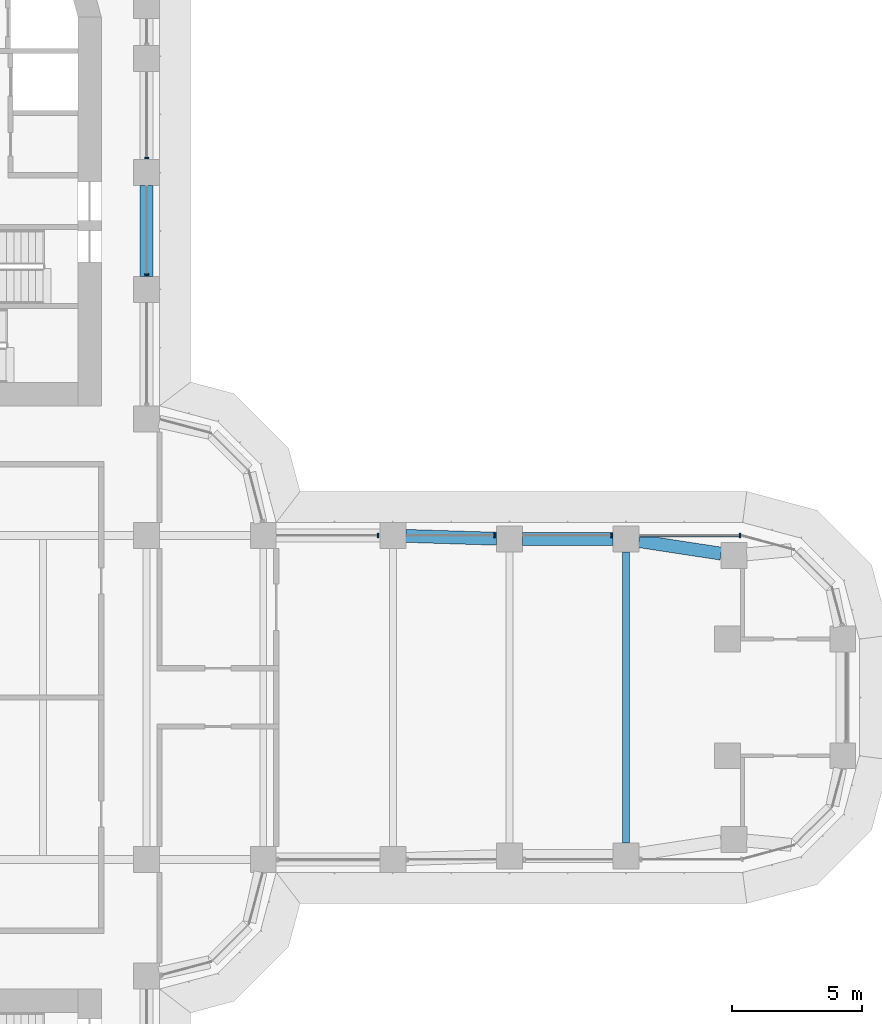
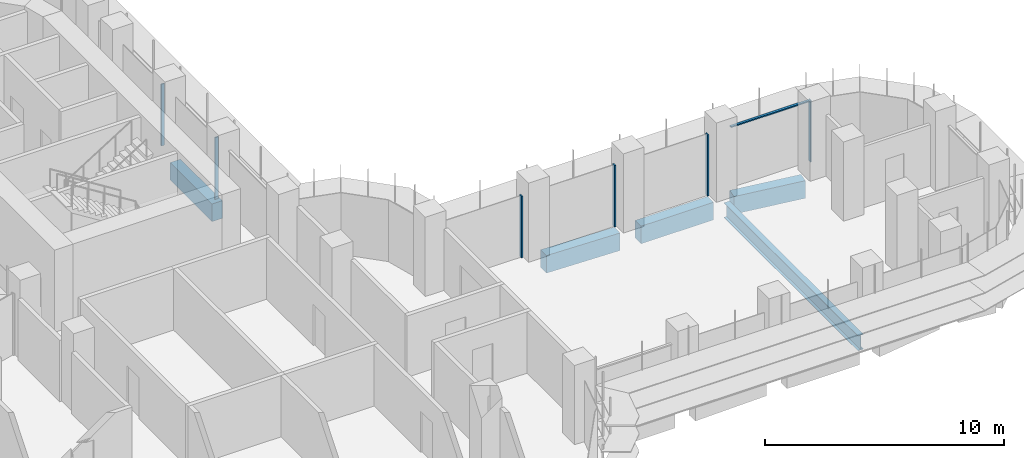
# One storey, part 9 of 23: 7 members, 5 beams, 2 elements without a shape of their own.
"""IFC4 building model written with IfcOpenShell, lengths in metres."""

from ifc_helpers import new_model, si_unit, direction, frame, origin, origin_2d, place, context, subcontext, project, spatial, polyline, rectangle, i_section, outline, extrude, source, transform, mapped, material, material_profile, profile_set, type_object, element, aggregate, save


model = new_model("IFC4")

# Units and contexts
model_context = context("Model", 3, precision=1e-05, world=origin(), true_north=direction((0.0, 1.0)))
body_context = subcontext(model_context, "Body", "Model", "MODEL_VIEW")
ifc_project = project(units=[si_unit("LENGTHUNIT", "METRE"), si_unit("AREAUNIT", "SQUARE_METRE"), si_unit("VOLUMEUNIT", "CUBIC_METRE"), si_unit("PLANEANGLEUNIT", "RADIAN"), si_unit("MASSUNIT", "GRAM", prefix="KILO")], contexts=[model_context])

# Site, building, storey
site_placement = place(None, origin())
site = spatial("IfcSite", under=ifc_project, at=site_placement, CompositionType="ELEMENT")
building_placement = place(site_placement, origin())
building = spatial("IfcBuilding", under=site, at=building_placement, Name="Zarbagh Exchange Tower", CompositionType="ELEMENT")
storey_placement = place(building_placement, frame((0.0, 0.0, 56.39990234375)))
storey = spatial("IfcBuildingStorey", under=building, at=storey_placement, Name="L12", CompositionType="ELEMENT", Elevation=56.39990234375)

# Beams
ifc_material_1 = material(Name="Steel ASTM A992 Gr 50", Category="steel")
ifc_material_profile_1 = material_profile(ifc_material_1, i_section(OverallWidth=0.2666015625, OverallDepth=0.76708984375, WebThickness=0.014892578125, FlangeThickness=0.023681640625, at=origin_2d()), Name="W30X124")
ifc_profile_set_1 = profile_set([ifc_material_profile_1], Name="Steel ASTM A992 Gr 50")
beam_type_1 = type_object("IfcBeamType", Name="Floor beam W30X124", PredefinedType="BEAM", material=ifc_profile_set_1)
beam_1_placement = place(storey_placement, frame((24.75, -5.610107421875, -0.533447265625), z_axis=(0.0, 1.0, 0.0), x_axis=(-1.0, 0.0, 0.0)))
element("IfcBeam", 1, at=beam_1_placement, inside=storey, type_object=beam_type_1, Name="Steel floor beam", PredefinedType="BEAM", context=body_context, shape_type="SweptSolid", body=[
    extrude(i_section(OverallWidth=0.2666015625, OverallDepth=0.76708984375, WebThickness=0.014892578125, FlangeThickness=0.023681640625, at=origin_2d()), origin(), (0.0, 0.0, 1.0), 11.22021484375),
])
ifc_material_2 = material(Name="Concrete C60/75", Category="concrete")
ifc_material_profile_2 = material_profile(ifc_material_2, rectangle(XDim=0.5, YDim=0.89990234375, at=origin_2d()), Name="RC spandrel beam 500 x 900 C60/75")
ifc_profile_set_2 = profile_set([ifc_material_profile_2], Name="Concrete C60/75")
beam_type_2 = type_object("IfcBeamType", Name="RC spandrel beam 500 x 900 C60/75", PredefinedType="SPANDREL", material=ifc_profile_set_2)
beam_2_placement = place(storey_placement, frame((6.25, 19.75, -0.599853515625), z_axis=(0.0, -1.0, 0.0), x_axis=(1.0, 0.0, 0.0)))
element("IfcBeam", 2, at=beam_2_placement, inside=storey, type_object=beam_type_2, Name="RC spandrel beam", PredefinedType="SPANDREL", context=body_context, shape_type="SweptSolid", body=[
    extrude(rectangle(XDim=0.5, YDim=0.89990234375, at=origin_2d()), origin(), (0.0, 0.0, 1.0), 3.5),
])
beam_3_placement = place(storey_placement, frame((16.249755859375, 6.234619140625, -0.599853515625), z_axis=(0.999514385708, -0.031160756759, 0.0), x_axis=(0.031160756759, 0.999514385708, 0.0)))
element("IfcBeam", 3, at=beam_3_placement, inside=storey, type_object=beam_type_2, Name="RC spandrel beam", PredefinedType="SPANDREL", context=body_context, shape_type="SweptSolid", body=[
    extrude(rectangle(XDim=0.5, YDim=0.89990234375, at=origin_2d()), origin(), (0.0, 0.0, 1.0), 3.502197265625),
])
beam_4_placement = place(storey_placement, frame((20.75, 6.110107421875, -0.599853515625), z_axis=(1.0, 0.0, 0.0), x_axis=(0.0, 1.0, 0.0)))
element("IfcBeam", 4, at=beam_4_placement, inside=storey, type_object=beam_type_2, Name="RC spandrel beam", PredefinedType="SPANDREL", context=body_context, shape_type="SweptSolid", body=[
    extrude(rectangle(XDim=0.5, YDim=0.89990234375, at=origin_2d()), origin(), (0.0, 0.0, 1.0), 3.5),
])
beam_5_placement = place(storey_placement, frame((25.244384765625, 6.034423828125, -0.599853515625), z_axis=(0.988545350976, -0.150924116903, 0.0), x_axis=(0.150924116903, 0.988545350976, 0.0)))
element("IfcBeam", 5, at=beam_5_placement, inside=storey, type_object=beam_type_2, Name="RC spandrel beam", PredefinedType="SPANDREL", context=body_context, shape_type="SweptSolid", body=[
    extrude(rectangle(XDim=0.5, YDim=0.89990234375, at=origin_2d()), origin(), (0.0, 0.0, 1.0), 3.2060546875),
])

# Curtain wall, members
ifc_material_3 = material(Name="Anodised aluminium frame and glazing", Category="aluminium")
curtain_wall_type = type_object("IfcCurtainWallType", Name="CWA Ribbon glazing, lower zones", PredefinedType="NOTDEFINED", material=ifc_material_3)
curtain_wall_1_placement = place(storey_placement, origin())
curtain_wall_1 = element("IfcCurtainWall", 6, at=curtain_wall_1_placement, inside=storey, type_object=curtain_wall_type, Name="CWA16 curtain wall", PredefinedType="NOTDEFINED")
ifc_material_4 = material(Name="Anodised aluminium frame", Category="aluminium")
member_type_1 = type_object("IfcMemberType", Name="MUA Mullion, anodised aluminium frame", PredefinedType="MULLION", material=ifc_material_4)
shared_shape_1 = source(origin(), body_context, "Body", "SweptSolid", [
    extrude(outline(polyline([(0.0, -0.080078125), (0.06005859375, -0.080078125), (0.06005859375, 0.080078125), (0.0, 0.080078125), (0.0, -0.080078125)])), origin(), (0.0, 0.0, 1.0), 3.14990234375),
])
placement = place(storey_placement, origin())
member_1 = element("IfcMember", 7, at=placement, type_object=member_type_1, Name="CWA16 mullion 1.1", PredefinedType="MULLION", context=body_context, shape_type="MappedRepresentation", body=[
    mapped(shared_shape_1, transform((29.18408203125, 6.25, 0.0), x_axis=(-1.0, 0.0, 0.0), y_axis=(0.0, -1.0, 0.0), z_axis=(0.0, 0.0, 1.0))),
])
member_2 = element("IfcMember", 8, at=placement, type_object=member_type_1, Name="CWA16 mullion 2.1", PredefinedType="MULLION", context=body_context, shape_type="MappedRepresentation", body=[
    mapped(shared_shape_1, transform((24.2099609375, 6.25, 0.0), x_axis=(-1.0, 0.0, 0.0), y_axis=(0.0, -1.0, 0.0), z_axis=(0.0, 0.0, 1.0))),
])
member_3 = element("IfcMember", 9, at=placement, type_object=member_type_1, Name="CWA16 mullion 3.1", PredefinedType="MULLION", context=body_context, shape_type="MappedRepresentation", body=[
    mapped(shared_shape_1, transform((19.7099609375, 6.25, 0.0), x_axis=(-1.0, 0.0, 0.0), y_axis=(0.0, -1.0, 0.0), z_axis=(0.0, 0.0, 1.0))),
])
member_4 = element("IfcMember", 10, at=placement, type_object=member_type_1, Name="CWA16 mullion 4.1", PredefinedType="MULLION", context=body_context, shape_type="MappedRepresentation", body=[
    mapped(shared_shape_1, transform((15.2099609375, 6.25, 0.0), x_axis=(-1.0, 0.0, 0.0), y_axis=(0.0, -1.0, 0.0), z_axis=(0.0, 0.0, 1.0))),
])

curtain_wall_2_placement = place(storey_placement, origin())
curtain_wall_2 = element("IfcCurtainWall", 11, at=curtain_wall_2_placement, inside=storey, type_object=curtain_wall_type, Name="CWA20 curtain wall", PredefinedType="NOTDEFINED")
member_5 = element("IfcMember", 12, at=placement, type_object=member_type_1, Name="CWA20 mullion 2.1", PredefinedType="MULLION", context=body_context, shape_type="MappedRepresentation", body=[
    mapped(shared_shape_1, transform((6.25, 16.2900390625, 0.0), x_axis=(0.0, 1.0, 0.0), y_axis=(-1.0, 0.0, 0.0), z_axis=(0.0, 0.0, 1.0))),
])
member_6 = element("IfcMember", 13, at=placement, type_object=member_type_1, Name="CWA20 mullion 3.1", PredefinedType="MULLION", context=body_context, shape_type="MappedRepresentation", body=[
    mapped(shared_shape_1, transform((6.25, 20.7900390625, 0.0), x_axis=(0.0, 1.0, 0.0), y_axis=(-1.0, 0.0, 0.0), z_axis=(0.0, 0.0, 1.0))),
])
aggregate(curtain_wall_2, [member_5, member_6])

# Member
member_type_2 = type_object("IfcMemberType", Name="TRA Transom, anodised aluminium frame", PredefinedType="USERDEFINED", material=ifc_material_4)
shared_shape_2 = source(origin(), body_context, "Body", "SweptSolid", [
    extrude(outline(polyline([(-0.06005859375, -0.06005859375), (0.0, -0.06005859375), (0.0, 0.06005859375), (-0.06005859375, 0.06005859375), (-0.06005859375, -0.06005859375)])), origin(), (0.0, 0.0, 1.0), 3.834228515625),
])
member_7 = element("IfcMember", 14, at=placement, type_object=member_type_2, Name="CWA16 transom 1.1", ObjectType="TRANSOM", PredefinedType="USERDEFINED", context=body_context, shape_type="MappedRepresentation", body=[
    mapped(shared_shape_2, transform((29.124267578125, 6.25, 3.150146484375), x_axis=(0.0, 0.0, 1.0), y_axis=(0.0, 1.0, 0.0), z_axis=(-1.0, 0.0, 0.0))),
])

aggregate(curtain_wall_1, [member_1, member_7, member_2, member_3, member_4])

save(model, "model.ifc")
